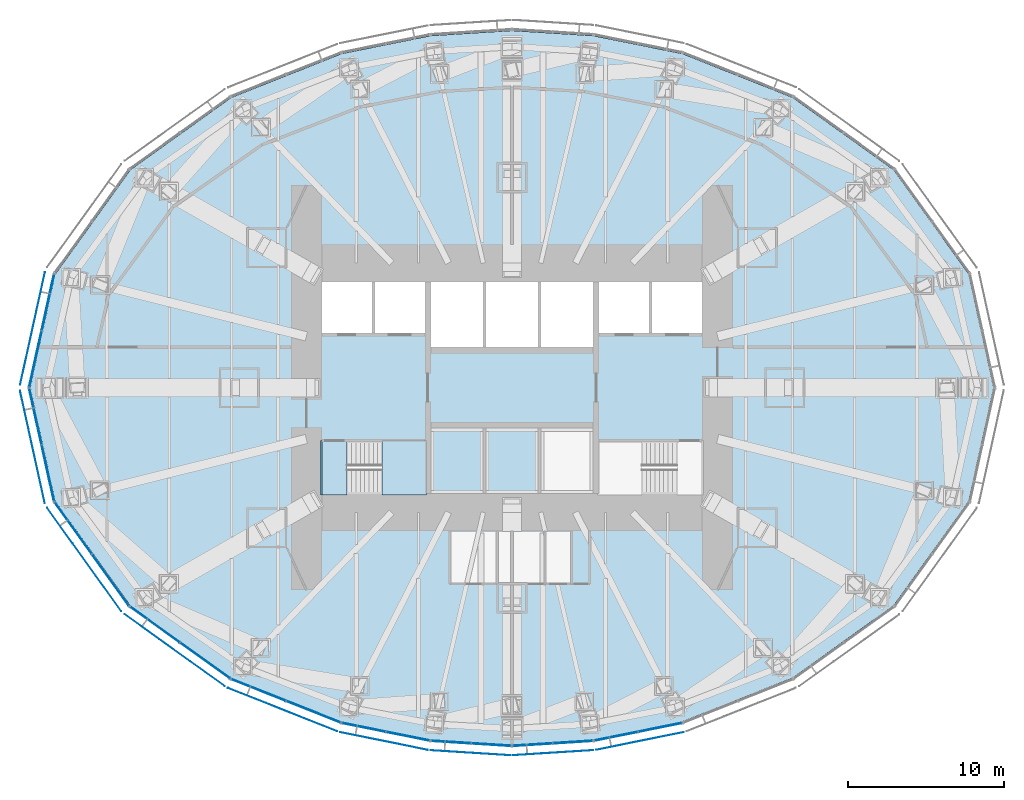
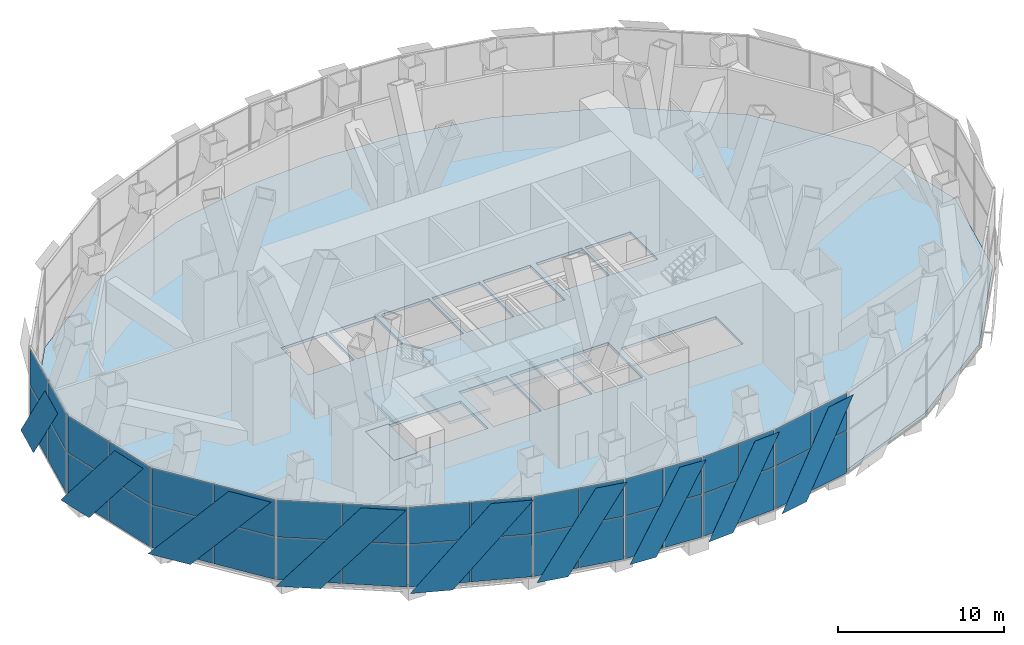
# One storey, part 12 of 21: 45 plates, 7 slabs, 10 elements without a shape of their own.
"""IFC4 building model written with IfcOpenShell, lengths in metres."""

from ifc_helpers import new_model, si_unit, direction, frame, origin, origin_2d, place, context, subcontext, project, spatial, polyline, rectangle, outline, extrude, material, layer, layer_set, type_object, element, aggregate, save


model = new_model("IFC4")

# Units and contexts
model_context = context("Model", 3, precision=1e-05, world=origin(), true_north=direction((0.0, 1.0)))
body_context = subcontext(model_context, "Body", "Model", "MODEL_VIEW")
ifc_project = project(units=[si_unit("LENGTHUNIT", "METRE"), si_unit("AREAUNIT", "SQUARE_METRE"), si_unit("VOLUMEUNIT", "CUBIC_METRE"), si_unit("PLANEANGLEUNIT", "RADIAN"), si_unit("MASSUNIT", "GRAM", prefix="KILO")], contexts=[model_context])

# Site, building, storey
site_placement = place(None, origin())
site = spatial("IfcSite", under=ifc_project, at=site_placement, CompositionType="ELEMENT")
building_placement = place(site_placement, origin())
building = spatial("IfcBuilding", under=site, at=building_placement, Name="Lantaw Convention Tower", CompositionType="ELEMENT")
storey_placement = place(building_placement, frame((0.0, 0.0, 105.39990234375)))
storey = spatial("IfcBuildingStorey", under=building, at=storey_placement, Name="L25", CompositionType="ELEMENT", Elevation=105.39990234375)

# Curtain wall, plates
ifc_material_1 = material(Name="Aluminium framed curtain wall", Category="aluminium")
curtain_wall_type = type_object("IfcCurtainWallType", Name="Plant floor louvre wall, pale aluminium", PredefinedType="USERDEFINED", material=ifc_material_1)
curtain_wall_1_placement = place(storey_placement, origin())
curtain_wall_1 = element("IfcCurtainWall", 1, at=curtain_wall_1_placement, inside=storey, type_object=curtain_wall_type, Name="Plant floor louvre wall, pale aluminium L25", ObjectType="LOUVRE WALL", PredefinedType="USERDEFINED")
ifc_material_2 = material(Name="Aluminium louvre blades", Category="aluminium")
ifc_layer_1 = layer(ifc_material_2, 0.050048828125)
ifc_layer_set_1 = layer_set([ifc_layer_1], Name="CW-LV panel 50")
plate_type_1 = type_object("IfcPlateType", Name="CW-LV panel 50", PredefinedType="CURTAIN_PANEL", material=ifc_layer_set_1)
plate_1_placement = place(storey_placement, frame((-29.792724609375, 5.477783203125, -0.1298828125), z_axis=(0.0, 0.0, 1.0), x_axis=(-0.215246056391, -0.976559847223, 0.0)))
plate_1 = element("IfcPlate", 2, at=plate_1_placement, type_object=plate_type_1, Name="CW-LV panel 1.1", PredefinedType="CURTAIN_PANEL", context=body_context, shape_type="SweptSolid", body=[
    extrude(rectangle(XDim=3.646240234375, YDim=0.050048828125, at=origin_2d()), origin(), (0.0, 0.0, 1.0), 3.094970703125),
])
plate_2_placement = place(storey_placement, frame((-29.792724609375, 5.477783203125, 3.03515625), z_axis=(0.0, 0.0, 1.0), x_axis=(-0.215246056391, -0.976559847223, 0.0)))
plate_2 = element("IfcPlate", 3, at=plate_2_placement, type_object=plate_type_1, Name="CW-LV panel 1.2", PredefinedType="CURTAIN_PANEL", context=body_context, shape_type="SweptSolid", body=[
    extrude(rectangle(XDim=3.646240234375, YDim=0.050048828125, at=origin_2d()), origin(), (0.0, 0.0, 1.0), 2.695068359375),
])
plate_3_placement = place(storey_placement, frame((-30.592529296875, 1.8486328125, -0.1298828125), z_axis=(0.0, 0.0, 1.0), x_axis=(-0.215246056391, -0.976559847223, 0.0)))
plate_3 = element("IfcPlate", 4, at=plate_3_placement, type_object=plate_type_1, Name="CW-LV panel 2.1", PredefinedType="CURTAIN_PANEL", context=body_context, shape_type="SweptSolid", body=[
    extrude(rectangle(XDim=3.646240234375, YDim=0.050048828125, at=origin_2d()), origin(), (0.0, 0.0, 1.0), 3.094970703125),
])
plate_4_placement = place(storey_placement, frame((-30.592529296875, 1.8486328125, 3.03515625), z_axis=(0.0, 0.0, 1.0), x_axis=(-0.215246056391, -0.976559847223, 0.0)))
plate_4 = element("IfcPlate", 5, at=plate_4_placement, type_object=plate_type_1, Name="CW-LV panel 2.2", PredefinedType="CURTAIN_PANEL", context=body_context, shape_type="SweptSolid", body=[
    extrude(rectangle(XDim=3.646240234375, YDim=0.050048828125, at=origin_2d()), origin(), (0.0, 0.0, 1.0), 2.695068359375),
])
aggregate(curtain_wall_1, [plate_1, plate_2, plate_3, plate_4])

curtain_wall_2_placement = place(storey_placement, origin())
curtain_wall_2 = element("IfcCurtainWall", 6, at=curtain_wall_2_placement, inside=storey, type_object=curtain_wall_type, Name="Plant floor louvre wall, pale aluminium L25", ObjectType="LOUVRE WALL", PredefinedType="USERDEFINED")
plate_5_placement = place(storey_placement, frame((-30.592529296875, -1.8486328125, -0.1298828125), z_axis=(0.0, 0.0, 1.0), x_axis=(0.215246056391, -0.976559847223, 0.0)))
plate_5 = element("IfcPlate", 7, at=plate_5_placement, type_object=plate_type_1, Name="CW-LV panel 1.1", PredefinedType="CURTAIN_PANEL", context=body_context, shape_type="SweptSolid", body=[
    extrude(rectangle(XDim=3.646240234375, YDim=0.050048828125, at=origin_2d()), origin(), (0.0, 0.0, 1.0), 3.094970703125),
])
plate_6_placement = place(storey_placement, frame((-30.592529296875, -1.8486328125, 3.03515625), z_axis=(0.0, 0.0, 1.0), x_axis=(0.215246056391, -0.976559847223, 0.0)))
plate_6 = element("IfcPlate", 8, at=plate_6_placement, type_object=plate_type_1, Name="CW-LV panel 1.2", PredefinedType="CURTAIN_PANEL", context=body_context, shape_type="SweptSolid", body=[
    extrude(rectangle(XDim=3.646240234375, YDim=0.050048828125, at=origin_2d()), origin(), (0.0, 0.0, 1.0), 2.695068359375),
])
plate_7_placement = place(storey_placement, frame((-29.792724609375, -5.477783203125, -0.1298828125), z_axis=(0.0, 0.0, 1.0), x_axis=(0.215246056391, -0.976559847223, 0.0)))
plate_7 = element("IfcPlate", 9, at=plate_7_placement, type_object=plate_type_1, Name="CW-LV panel 2.1", PredefinedType="CURTAIN_PANEL", context=body_context, shape_type="SweptSolid", body=[
    extrude(rectangle(XDim=3.646240234375, YDim=0.050048828125, at=origin_2d()), origin(), (0.0, 0.0, 1.0), 3.094970703125),
])
plate_8_placement = place(storey_placement, frame((-29.792724609375, -5.477783203125, 3.03515625), z_axis=(0.0, 0.0, 1.0), x_axis=(0.215246056391, -0.976559847223, 0.0)))
plate_8 = element("IfcPlate", 10, at=plate_8_placement, type_object=plate_type_1, Name="CW-LV panel 2.2", PredefinedType="CURTAIN_PANEL", context=body_context, shape_type="SweptSolid", body=[
    extrude(rectangle(XDim=3.646240234375, YDim=0.050048828125, at=origin_2d()), origin(), (0.0, 0.0, 1.0), 2.695068359375),
])
aggregate(curtain_wall_2, [plate_5, plate_6, plate_7, plate_8])

curtain_wall_3_placement = place(storey_placement, origin())
curtain_wall_3 = element("IfcCurtainWall", 11, at=curtain_wall_3_placement, inside=storey, type_object=curtain_wall_type, Name="Plant floor louvre wall, pale aluminium L25", ObjectType="LOUVRE WALL", PredefinedType="USERDEFINED")
plate_9_placement = place(storey_placement, frame((-28.168701171875, -9.017578125, -0.1298828125), z_axis=(0.0, 0.0, 1.0), x_axis=(0.583951250436, -0.811788726895, 0.0)))
plate_9 = element("IfcPlate", 12, at=plate_9_placement, type_object=plate_type_1, Name="CW-LV panel 1.1", PredefinedType="CURTAIN_PANEL", context=body_context, shape_type="SweptSolid", body=[
    extrude(rectangle(XDim=4.0263671875, YDim=0.050048828125, at=origin_2d()), origin(), (0.0, 0.0, 1.0), 3.094970703125),
])
plate_10_placement = place(storey_placement, frame((-28.168701171875, -9.017578125, 3.03515625), z_axis=(0.0, 0.0, 1.0), x_axis=(0.583951250436, -0.811788726895, 0.0)))
plate_10 = element("IfcPlate", 13, at=plate_10_placement, type_object=plate_type_1, Name="CW-LV panel 1.2", PredefinedType="CURTAIN_PANEL", context=body_context, shape_type="SweptSolid", body=[
    extrude(rectangle(XDim=4.0263671875, YDim=0.050048828125, at=origin_2d()), origin(), (0.0, 0.0, 1.0), 2.695068359375),
])
plate_11_placement = place(storey_placement, frame((-25.776611328125, -12.34326171875, -0.1298828125), z_axis=(0.0, 0.0, 1.0), x_axis=(0.583951250436, -0.811788726895, 0.0)))
plate_11 = element("IfcPlate", 14, at=plate_11_placement, type_object=plate_type_1, Name="CW-LV panel 2.1", PredefinedType="CURTAIN_PANEL", context=body_context, shape_type="SweptSolid", body=[
    extrude(rectangle(XDim=4.0263671875, YDim=0.050048828125, at=origin_2d()), origin(), (0.0, 0.0, 1.0), 3.094970703125),
])
plate_12_placement = place(storey_placement, frame((-25.776611328125, -12.34326171875, 3.03515625), z_axis=(0.0, 0.0, 1.0), x_axis=(0.583951250436, -0.811788726895, 0.0)))
plate_12 = element("IfcPlate", 15, at=plate_12_placement, type_object=plate_type_1, Name="CW-LV panel 2.2", PredefinedType="CURTAIN_PANEL", context=body_context, shape_type="SweptSolid", body=[
    extrude(rectangle(XDim=4.0263671875, YDim=0.050048828125, at=origin_2d()), origin(), (0.0, 0.0, 1.0), 2.695068359375),
])
aggregate(curtain_wall_3, [plate_9, plate_10, plate_11, plate_12])

curtain_wall_4_placement = place(storey_placement, origin())
curtain_wall_4 = element("IfcCurtainWall", 16, at=curtain_wall_4_placement, inside=storey, type_object=curtain_wall_type, Name="Plant floor louvre wall, pale aluminium L25", ObjectType="LOUVRE WALL", PredefinedType="USERDEFINED")
plate_13_placement = place(storey_placement, frame((-22.91943359375, -15.2099609375, -0.1298828125), z_axis=(0.0, 0.0, 1.0), x_axis=(0.812803733199, -0.5825376308, 0.0)))
plate_13 = element("IfcPlate", 17, at=plate_13_placement, type_object=plate_type_1, Name="CW-LV panel 1.1", PredefinedType="CURTAIN_PANEL", context=body_context, shape_type="SweptSolid", body=[
    extrude(rectangle(XDim=3.896484375, YDim=0.050048828125, at=origin_2d()), origin(), (0.0, 0.0, 1.0), 3.094970703125),
])
plate_14_placement = place(storey_placement, frame((-22.91943359375, -15.2099609375, 3.03515625), z_axis=(0.0, 0.0, 1.0), x_axis=(0.812803733199, -0.5825376308, 0.0)))
plate_14 = element("IfcPlate", 18, at=plate_14_placement, type_object=plate_type_1, Name="CW-LV panel 1.2", PredefinedType="CURTAIN_PANEL", context=body_context, shape_type="SweptSolid", body=[
    extrude(rectangle(XDim=3.896484375, YDim=0.050048828125, at=origin_2d()), origin(), (0.0, 0.0, 1.0), 2.695068359375),
])
plate_15_placement = place(storey_placement, frame((-19.695556640625, -17.520751953125, -0.1298828125), z_axis=(0.0, 0.0, 1.0), x_axis=(0.812803733199, -0.5825376308, 0.0)))
plate_15 = element("IfcPlate", 19, at=plate_15_placement, type_object=plate_type_1, Name="CW-LV panel 2.1", PredefinedType="CURTAIN_PANEL", context=body_context, shape_type="SweptSolid", body=[
    extrude(rectangle(XDim=3.896484375, YDim=0.050048828125, at=origin_2d()), origin(), (0.0, 0.0, 1.0), 3.094970703125),
])
plate_16_placement = place(storey_placement, frame((-19.695556640625, -17.520751953125, 3.03515625), z_axis=(0.0, 0.0, 1.0), x_axis=(0.812803733199, -0.5825376308, 0.0)))
plate_16 = element("IfcPlate", 20, at=plate_16_placement, type_object=plate_type_1, Name="CW-LV panel 2.2", PredefinedType="CURTAIN_PANEL", context=body_context, shape_type="SweptSolid", body=[
    extrude(rectangle(XDim=3.896484375, YDim=0.050048828125, at=origin_2d()), origin(), (0.0, 0.0, 1.0), 2.695068359375),
])
aggregate(curtain_wall_4, [plate_13, plate_14, plate_15, plate_16])

curtain_wall_5_placement = place(storey_placement, origin())
curtain_wall_5 = element("IfcCurtainWall", 21, at=curtain_wall_5_placement, inside=storey, type_object=curtain_wall_type, Name="Plant floor louvre wall, pale aluminium L25", ObjectType="LOUVRE WALL", PredefinedType="USERDEFINED")
plate_17_placement = place(storey_placement, frame((-16.265380859375, -19.4072265625, -0.1298828125), z_axis=(0.0, 0.0, 1.0), x_axis=(0.929361152748, -0.369171840425, 0.0)))
plate_17 = element("IfcPlate", 22, at=plate_17_placement, type_object=plate_type_1, Name="CW-LV panel 1.1", PredefinedType="CURTAIN_PANEL", context=body_context, shape_type="SweptSolid", body=[
    extrude(rectangle(XDim=3.711181640625, YDim=0.050048828125, at=origin_2d()), origin(), (0.0, 0.0, 1.0), 3.094970703125),
])
plate_18_placement = place(storey_placement, frame((-16.265380859375, -19.4072265625, 3.03515625), z_axis=(0.0, 0.0, 1.0), x_axis=(0.929361152748, -0.369171840425, 0.0)))
plate_18 = element("IfcPlate", 23, at=plate_18_placement, type_object=plate_type_1, Name="CW-LV panel 1.2", PredefinedType="CURTAIN_PANEL", context=body_context, shape_type="SweptSolid", body=[
    extrude(rectangle(XDim=3.711181640625, YDim=0.050048828125, at=origin_2d()), origin(), (0.0, 0.0, 1.0), 2.695068359375),
])
plate_19_placement = place(storey_placement, frame((-12.75146484375, -20.80322265625, -0.1298828125), z_axis=(0.0, 0.0, 1.0), x_axis=(0.929361152748, -0.369171840425, 0.0)))
plate_19 = element("IfcPlate", 24, at=plate_19_placement, type_object=plate_type_1, Name="CW-LV panel 2.1", PredefinedType="CURTAIN_PANEL", context=body_context, shape_type="SweptSolid", body=[
    extrude(rectangle(XDim=3.711181640625, YDim=0.050048828125, at=origin_2d()), origin(), (0.0, 0.0, 1.0), 3.094970703125),
])
plate_20_placement = place(storey_placement, frame((-12.75146484375, -20.80322265625, 3.03515625), z_axis=(0.0, 0.0, 1.0), x_axis=(0.929361152748, -0.369171840425, 0.0)))
plate_20 = element("IfcPlate", 25, at=plate_20_placement, type_object=plate_type_1, Name="CW-LV panel 2.2", PredefinedType="CURTAIN_PANEL", context=body_context, shape_type="SweptSolid", body=[
    extrude(rectangle(XDim=3.711181640625, YDim=0.050048828125, at=origin_2d()), origin(), (0.0, 0.0, 1.0), 2.695068359375),
])
aggregate(curtain_wall_5, [plate_17, plate_18, plate_19, plate_20])

curtain_wall_6_placement = place(storey_placement, origin())
curtain_wall_6 = element("IfcCurtainWall", 26, at=curtain_wall_6_placement, inside=storey, type_object=curtain_wall_type, Name="Plant floor louvre wall, pale aluminium L25", ObjectType="LOUVRE WALL", PredefinedType="USERDEFINED")
plate_21_placement = place(storey_placement, frame((-9.5126953125, -21.806396484375, -0.1298828125), z_axis=(0.0, 0.0, 1.0), x_axis=(0.980244604501, -0.197789067813, 0.0)))
plate_21 = element("IfcPlate", 27, at=plate_21_placement, type_object=plate_type_1, Name="CW-LV panel 1.1", PredefinedType="CURTAIN_PANEL", context=body_context, shape_type="SweptSolid", body=[
    extrude(rectangle(XDim=2.81689453125, YDim=0.050048828125, at=origin_2d()), origin(), (0.0, 0.0, 1.0), 3.094970703125),
])
plate_22_placement = place(storey_placement, frame((-9.5126953125, -21.806396484375, 3.03515625), z_axis=(0.0, 0.0, 1.0), x_axis=(0.980244604501, -0.197789067813, 0.0)))
plate_22 = element("IfcPlate", 28, at=plate_22_placement, type_object=plate_type_1, Name="CW-LV panel 1.2", PredefinedType="CURTAIN_PANEL", context=body_context, shape_type="SweptSolid", body=[
    extrude(rectangle(XDim=2.81689453125, YDim=0.050048828125, at=origin_2d()), origin(), (0.0, 0.0, 1.0), 2.695068359375),
])
plate_23_placement = place(storey_placement, frame((-6.682861328125, -22.37744140625, -0.1298828125), z_axis=(0.0, 0.0, 1.0), x_axis=(0.980244604501, -0.197789067813, 0.0)))
plate_23 = element("IfcPlate", 29, at=plate_23_placement, type_object=plate_type_1, Name="CW-LV panel 2.1", PredefinedType="CURTAIN_PANEL", context=body_context, shape_type="SweptSolid", body=[
    extrude(rectangle(XDim=2.81689453125, YDim=0.050048828125, at=origin_2d()), origin(), (0.0, 0.0, 1.0), 3.094970703125),
])
plate_24_placement = place(storey_placement, frame((-6.682861328125, -22.37744140625, 3.03515625), z_axis=(0.0, 0.0, 1.0), x_axis=(0.980244604501, -0.197789067813, 0.0)))
plate_24 = element("IfcPlate", 30, at=plate_24_placement, type_object=plate_type_1, Name="CW-LV panel 2.2", PredefinedType="CURTAIN_PANEL", context=body_context, shape_type="SweptSolid", body=[
    extrude(rectangle(XDim=2.81689453125, YDim=0.050048828125, at=origin_2d()), origin(), (0.0, 0.0, 1.0), 2.695068359375),
])
aggregate(curtain_wall_6, [plate_21, plate_22, plate_23, plate_24])

curtain_wall_7_placement = place(storey_placement, origin())
curtain_wall_7 = element("IfcCurtainWall", 31, at=curtain_wall_7_placement, inside=storey, type_object=curtain_wall_type, Name="Plant floor louvre wall, pale aluminium L25", ObjectType="LOUVRE WALL", PredefinedType="USERDEFINED")
plate_25_placement = place(storey_placement, frame((-3.907958984375, -22.75341796875, -0.1298828125), z_axis=(0.0, 0.0, 1.0), x_axis=(0.998016153807, -0.062958373078, 0.0)))
plate_25 = element("IfcPlate", 32, at=plate_25_placement, type_object=plate_type_1, Name="CW-LV panel 1.1", PredefinedType="CURTAIN_PANEL", context=body_context, shape_type="SweptSolid", body=[
    extrude(rectangle(XDim=2.51708984375, YDim=0.050048828125, at=origin_2d()), origin(), (0.0, 0.0, 1.0), 3.094970703125),
])
plate_26_placement = place(storey_placement, frame((-3.907958984375, -22.75341796875, 3.03515625), z_axis=(0.0, 0.0, 1.0), x_axis=(0.998016153807, -0.062958373078, 0.0)))
plate_26 = element("IfcPlate", 33, at=plate_26_placement, type_object=plate_type_1, Name="CW-LV panel 1.2", PredefinedType="CURTAIN_PANEL", context=body_context, shape_type="SweptSolid", body=[
    extrude(rectangle(XDim=2.51708984375, YDim=0.050048828125, at=origin_2d()), origin(), (0.0, 0.0, 1.0), 2.695068359375),
])
plate_27_placement = place(storey_placement, frame((-1.325927734375, -22.916259765625, -0.1298828125), z_axis=(0.0, 0.0, 1.0), x_axis=(0.998016153807, -0.062958373078, 0.0)))
plate_27 = element("IfcPlate", 34, at=plate_27_placement, type_object=plate_type_1, Name="CW-LV panel 2.1", PredefinedType="CURTAIN_PANEL", context=body_context, shape_type="SweptSolid", body=[
    extrude(rectangle(XDim=2.51708984375, YDim=0.050048828125, at=origin_2d()), origin(), (0.0, 0.0, 1.0), 3.094970703125),
])
plate_28_placement = place(storey_placement, frame((-1.325927734375, -22.916259765625, 3.03515625), z_axis=(0.0, 0.0, 1.0), x_axis=(0.998016153807, -0.062958373078, 0.0)))
plate_28 = element("IfcPlate", 35, at=plate_28_placement, type_object=plate_type_1, Name="CW-LV panel 2.2", PredefinedType="CURTAIN_PANEL", context=body_context, shape_type="SweptSolid", body=[
    extrude(rectangle(XDim=2.51708984375, YDim=0.050048828125, at=origin_2d()), origin(), (0.0, 0.0, 1.0), 2.695068359375),
])
aggregate(curtain_wall_7, [plate_25, plate_26, plate_27, plate_28])

curtain_wall_8_placement = place(storey_placement, origin())
curtain_wall_8 = element("IfcCurtainWall", 36, at=curtain_wall_8_placement, inside=storey, type_object=curtain_wall_type, Name="Plant floor louvre wall, pale aluminium L25", ObjectType="LOUVRE WALL", PredefinedType="USERDEFINED")
plate_29_placement = place(storey_placement, frame((1.325927734375, -22.916259765625, -0.1298828125), z_axis=(0.0, 0.0, 1.0), x_axis=(0.998016153807, 0.062958373078, 0.0)))
plate_29 = element("IfcPlate", 37, at=plate_29_placement, type_object=plate_type_1, Name="CW-LV panel 1.1", PredefinedType="CURTAIN_PANEL", context=body_context, shape_type="SweptSolid", body=[
    extrude(rectangle(XDim=2.51708984375, YDim=0.050048828125, at=origin_2d()), origin(), (0.0, 0.0, 1.0), 3.094970703125),
])
plate_30_placement = place(storey_placement, frame((1.325927734375, -22.916259765625, 3.03515625), z_axis=(0.0, 0.0, 1.0), x_axis=(0.998016153807, 0.062958373078, 0.0)))
plate_30 = element("IfcPlate", 38, at=plate_30_placement, type_object=plate_type_1, Name="CW-LV panel 1.2", PredefinedType="CURTAIN_PANEL", context=body_context, shape_type="SweptSolid", body=[
    extrude(rectangle(XDim=2.51708984375, YDim=0.050048828125, at=origin_2d()), origin(), (0.0, 0.0, 1.0), 2.695068359375),
])
plate_31_placement = place(storey_placement, frame((3.907958984375, -22.75341796875, -0.1298828125), z_axis=(0.0, 0.0, 1.0), x_axis=(0.998016153807, 0.062958373078, 0.0)))
plate_31 = element("IfcPlate", 39, at=plate_31_placement, type_object=plate_type_1, Name="CW-LV panel 2.1", PredefinedType="CURTAIN_PANEL", context=body_context, shape_type="SweptSolid", body=[
    extrude(rectangle(XDim=2.51708984375, YDim=0.050048828125, at=origin_2d()), origin(), (0.0, 0.0, 1.0), 3.094970703125),
])
plate_32_placement = place(storey_placement, frame((3.907958984375, -22.75341796875, 3.03515625), z_axis=(0.0, 0.0, 1.0), x_axis=(0.998016153807, 0.062958373078, 0.0)))
plate_32 = element("IfcPlate", 40, at=plate_32_placement, type_object=plate_type_1, Name="CW-LV panel 2.2", PredefinedType="CURTAIN_PANEL", context=body_context, shape_type="SweptSolid", body=[
    extrude(rectangle(XDim=2.51708984375, YDim=0.050048828125, at=origin_2d()), origin(), (0.0, 0.0, 1.0), 2.695068359375),
])
aggregate(curtain_wall_8, [plate_29, plate_30, plate_31, plate_32])

curtain_wall_9_placement = place(storey_placement, origin())
curtain_wall_9 = element("IfcCurtainWall", 41, at=curtain_wall_9_placement, inside=storey, type_object=curtain_wall_type, Name="Plant floor louvre wall, pale aluminium L25", ObjectType="LOUVRE WALL", PredefinedType="USERDEFINED")
plate_33_placement = place(storey_placement, frame((6.682861328125, -22.37744140625, -0.1298828125), z_axis=(0.0, 0.0, 1.0), x_axis=(0.980244604501, 0.197789067813, 0.0)))
plate_33 = element("IfcPlate", 42, at=plate_33_placement, type_object=plate_type_1, Name="CW-LV panel 1.1", PredefinedType="CURTAIN_PANEL", context=body_context, shape_type="SweptSolid", body=[
    extrude(rectangle(XDim=2.81689453125, YDim=0.050048828125, at=origin_2d()), origin(), (0.0, 0.0, 1.0), 3.094970703125),
])
plate_34_placement = place(storey_placement, frame((6.682861328125, -22.37744140625, 3.03515625), z_axis=(0.0, 0.0, 1.0), x_axis=(0.980244604501, 0.197789067813, 0.0)))
plate_34 = element("IfcPlate", 43, at=plate_34_placement, type_object=plate_type_1, Name="CW-LV panel 1.2", PredefinedType="CURTAIN_PANEL", context=body_context, shape_type="SweptSolid", body=[
    extrude(rectangle(XDim=2.81689453125, YDim=0.050048828125, at=origin_2d()), origin(), (0.0, 0.0, 1.0), 2.695068359375),
])
plate_35_placement = place(storey_placement, frame((9.5126953125, -21.806396484375, -0.1298828125), z_axis=(0.0, 0.0, 1.0), x_axis=(0.980244604501, 0.197789067813, 0.0)))
plate_35 = element("IfcPlate", 44, at=plate_35_placement, type_object=plate_type_1, Name="CW-LV panel 2.1", PredefinedType="CURTAIN_PANEL", context=body_context, shape_type="SweptSolid", body=[
    extrude(rectangle(XDim=2.81689453125, YDim=0.050048828125, at=origin_2d()), origin(), (0.0, 0.0, 1.0), 3.094970703125),
])
plate_36_placement = place(storey_placement, frame((9.5126953125, -21.806396484375, 3.03515625), z_axis=(0.0, 0.0, 1.0), x_axis=(0.980244604501, 0.197789067813, 0.0)))
plate_36 = element("IfcPlate", 45, at=plate_36_placement, type_object=plate_type_1, Name="CW-LV panel 2.2", PredefinedType="CURTAIN_PANEL", context=body_context, shape_type="SweptSolid", body=[
    extrude(rectangle(XDim=2.81689453125, YDim=0.050048828125, at=origin_2d()), origin(), (0.0, 0.0, 1.0), 2.695068359375),
])
aggregate(curtain_wall_9, [plate_33, plate_34, plate_35, plate_36])

# Slabs
ifc_material_3 = material(Name="Concrete C35/45", Category="concrete")
ifc_layer_2 = layer(ifc_material_3, 0.199951171875)
ifc_layer_set_2 = layer_set([ifc_layer_2], Name="Floor slab 200")
slab_type_1 = type_object("IfcSlabType", Name="Floor slab 200", PredefinedType="FLOOR", material=ifc_layer_set_2)
slab_1_placement = place(storey_placement, frame((0.0, 0.0, -0.199951171875)))
element("IfcSlab", 46, at=slab_1_placement, inside=storey, type_object=slab_type_1, Name="L25 floor slab", PredefinedType="FLOOR", context=body_context, shape_type="SweptSolid", body=[
    extrude(outline(polyline([(29.315185546875, -7.29541015625), (30.923095703125, 0.0), (29.315185546875, 7.29541015625), (24.50634765625, 13.98046875), (18.018798828125, 18.630126953125), (10.9404296875, 21.44189453125), (5.223876953125, 22.59521484375), (0.0, 22.9248046875), (-5.223876953125, 22.59521484375), (-10.9404296875, 21.44189453125), (-18.018798828125, 18.630126953125), (-24.50634765625, 13.98046875), (-29.315185546875, 7.29541015625), (-30.923095703125, 0.0), (-29.315185546875, -7.29541015625), (-24.50634765625, -13.98046875), (-18.018798828125, -18.630126953125), (-10.9404296875, -21.44189453125), (-5.223876953125, -22.59521484375), (0.0, -22.9248046875), (5.223876953125, -22.59521484375), (10.9404296875, -21.44189453125), (18.018798828125, -18.630126953125), (24.50634765625, -13.98046875), (29.315185546875, -7.29541015625)]), holes=[polyline([(-5.60009765625, -3.5), (-12.199951171875, -3.5), (-12.199951171875, -6.800048828125), (-5.60009765625, -6.800048828125), (-5.60009765625, -3.5)]), polyline([(-1.86669921875, -6.800048828125), (-1.86669921875, -2.60009765625), (-5.199951171875, -2.60009765625), (-5.199951171875, -6.800048828125), (-1.86669921875, -6.800048828125)]), polyline([(-1.86669921875, 2.60009765625), (-1.86669921875, 6.800048828125), (-5.199951171875, 6.800048828125), (-5.199951171875, 2.60009765625), (-1.86669921875, 2.60009765625)]), polyline([(1.666748046875, 6.800048828125), (-1.666748046875, 6.800048828125), (-1.666748046875, 2.60009765625), (1.666748046875, 2.60009765625), (1.666748046875, 6.800048828125)]), polyline([(-9.0, 3.5), (-9.0, 6.800048828125), (-12.199951171875, 6.800048828125), (-12.199951171875, 3.5), (-9.0, 3.5)]), polyline([(-5.60009765625, 3.5), (-5.60009765625, 6.800048828125), (-8.800048828125, 6.800048828125), (-8.800048828125, 3.5), (-5.60009765625, 3.5)]), polyline([(12.199951171875, -3.5), (5.60009765625, -3.5), (5.60009765625, -6.800048828125), (12.199951171875, -6.800048828125), (12.199951171875, -3.5)]), polyline([(1.666748046875, -6.800048828125), (1.666748046875, -2.60009765625), (-1.666748046875, -2.60009765625), (-1.666748046875, -6.800048828125), (1.666748046875, -6.800048828125)]), polyline([(5.199951171875, -6.800048828125), (5.199951171875, -2.60009765625), (1.86669921875, -2.60009765625), (1.86669921875, -6.800048828125), (5.199951171875, -6.800048828125)]), polyline([(5.199951171875, 6.800048828125), (1.86669921875, 6.800048828125), (1.86669921875, 2.60009765625), (5.199951171875, 2.60009765625), (5.199951171875, 6.800048828125)]), polyline([(8.800048828125, 3.5), (8.800048828125, 6.800048828125), (5.60009765625, 6.800048828125), (5.60009765625, 3.5), (8.800048828125, 3.5)]), polyline([(12.199951171875, 3.5), (12.199951171875, 6.800048828125), (9.0, 6.800048828125), (9.0, 3.5), (12.199951171875, 3.5)])]), origin(), (0.0, 0.0, 1.0), 0.199951171875),
])
ifc_material_4 = material(Name="Concrete C40/50", Category="concrete")
ifc_layer_3 = layer(ifc_material_4, 0.300048828125)
ifc_layer_set_3 = layer_set([ifc_layer_3], Name="Lift pit slab 300")
slab_type_2 = type_object("IfcSlabType", Name="Lift pit slab 300", PredefinedType="BASESLAB", material=ifc_layer_set_3)
slab_2_placement = place(storey_placement, frame((0.0, 0.0, 2.25)))
element("IfcSlab", 47, at=slab_2_placement, inside=storey, type_object=slab_type_2, Name="Lift pit S1", PredefinedType="BASESLAB", context=body_context, shape_type="SweptSolid", body=[
    extrude(outline(polyline([(-5.199951171875, -6.800048828125), (-1.86669921875, -6.800048828125), (-1.86669921875, -2.60009765625), (-5.199951171875, -2.60009765625), (-5.199951171875, -6.800048828125)])), origin(), (0.0, 0.0, 1.0), 0.300048828125),
])
slab_3_placement = place(storey_placement, frame((0.0, 0.0, 2.25)))
element("IfcSlab", 48, at=slab_3_placement, inside=storey, type_object=slab_type_2, Name="Lift pit S2", PredefinedType="BASESLAB", context=body_context, shape_type="SweptSolid", body=[
    extrude(outline(polyline([(-1.666748046875, -6.800048828125), (1.666748046875, -6.800048828125), (1.666748046875, -2.60009765625), (-1.666748046875, -2.60009765625), (-1.666748046875, -6.800048828125)])), origin(), (0.0, 0.0, 1.0), 0.300048828125),
])

# Plates
ifc_material_5 = material(Name="Perforated aluminium sheet, pale silver finish", Category="aluminium")
ifc_layer_4 = layer(ifc_material_5, 0.006103515625)
ifc_layer_set_4 = layer_set([ifc_layer_4], Name="Perforated aluminium solar SCREEN panel")
plate_type_2 = type_object("IfcPlateType", Name="Perforated aluminium solar SCREEN panel", PredefinedType="SHEET", material=ifc_layer_set_4)
plate_37_placement = place(storey_placement, frame((-29.98779296875, 7.408203125, -0.199951171875), z_axis=(-0.976559435862, 0.215247921914, 1.8452861e-05), x_axis=(-0.215247921951, -0.976559436028, -1.9e-10)))
element("IfcPlate", 49, at=plate_37_placement, inside=storey, type_object=plate_type_2, Name="Solar SCREEN panel", PredefinedType="SHEET", context=body_context, shape_type="SweptSolid", body=[
    extrude(outline(polyline([(0.0, 0.0), (2.550763794498007, 1.6940658945086007e-21), (7.40249825065126, 6.140136721202469), (4.851496038322192, 6.140136720232712), (0.0, 0.0)])), origin(), (0.0, 0.0, -1.0), 0.006103515625),
])
plate_38_placement = place(storey_placement, frame((-31.5810546875, -0.17919921875, -0.199951171875), z_axis=(0.976559435862, 0.215247921914, 1.8452861e-05), x_axis=(0.215247921951, -0.976559436028, 1.9e-10)))
element("IfcPlate", 50, at=plate_38_placement, inside=storey, type_object=plate_type_2, Name="Solar SCREEN panel", PredefinedType="SHEET", context=body_context, shape_type="SweptSolid", body=[
    extrude(outline(polyline([(0.0, 0.0), (2.551002212329069, 3.3881317890172014e-21), (7.402498252985418, -6.140136718388428), (4.851734458487411, -6.140136719358094), (0.0, 0.0)])), origin(), (0.0, 0.0, -1.0), 0.006103515625),
])
plate_39_placement = place(storey_placement, frame((-29.847900390625, -7.720947265625, -0.199951171875), z_axis=(-0.811791382633, -0.583947558478, 5.493684e-06), x_axis=(0.583947558486, -0.811791382646, 0.0)))
element("IfcPlate", 51, at=plate_39_placement, inside=storey, type_object=plate_type_2, Name="Solar SCREEN panel", PredefinedType="SHEET", context=body_context, shape_type="SweptSolid", body=[
    extrude(outline(polyline([(0.0, 0.0), (2.809541672291133, -8.470329472543003e-22), (8.163093158837512, 6.140136718842657), (5.353551486546379, 6.140136718842657), (0.0, 0.0)])), origin(), (0.0, 0.0, -1.0), 0.006103515625),
])
plate_40_placement = place(storey_placement, frame((-24.872314453125, -14.555908203125, -0.199951171875), z_axis=(-0.582561422044, -0.812786681395, 9.635692e-06), x_axis=(0.812786681433, -0.582561422071, 0.0)))
element("IfcPlate", 52, at=plate_40_placement, inside=storey, type_object=plate_type_2, Name="Solar SCREEN panel", PredefinedType="SHEET", context=body_context, shape_type="SweptSolid", body=[
    extrude(outline(polyline([(0.0, 0.0), (2.721095180812288, 1.6940658945086007e-21), (7.903118572410756, 6.140136719035047), (5.182023391598468, 6.140136719035047), (0.0, 0.0)])), origin(), (0.0, 0.0, -1.0), 0.006103515625),
])
plate_41_placement = place(storey_placement, frame((-18.232177734375, -19.278076171875, -0.199951171875), z_axis=(0.369183532856, 0.92935650804, 5.581413e-06), x_axis=(0.929356508055, -0.369183532862, 0.0)))
element("IfcPlate", 53, at=plate_41_placement, inside=storey, type_object=plate_type_2, Name="Solar SCREEN panel", PredefinedType="SHEET", context=body_context, shape_type="SweptSolid", body=[
    extrude(outline(polyline([(0.0, 0.0), (2.594936467166582, -8.470329472543003e-22), (7.5321069917580825, -6.14013671884564), (4.937170524591499, -6.14013671884564), (0.0, 0.0)])), origin(), (0.0, 0.0, -1.0), 0.006103515625),
])
plate_42_placement = place(storey_placement, frame((-11.03271484375, -22.117919921875, -0.199951171875), z_axis=(0.197781876198, 0.980246055562, 1.473143e-06), x_axis=(0.980246055563, -0.197781876198, 8.9e-11)))
element("IfcPlate", 54, at=plate_42_placement, inside=storey, type_object=plate_type_2, Name="Solar SCREEN panel", PredefinedType="SHEET", context=body_context, shape_type="SweptSolid", body=[
    extrude(outline(polyline([(0.0, 0.0), (1.986780177223633, 0.0), (5.743587245978566, -6.14013671824707), (3.756855355345801, -6.140136718599615), (0.0, 0.0)])), origin(), (0.0, 0.0, -1.0), 0.006103515625),
])
plate_43_placement = place(storey_placement, frame((-5.221923828125, -23.27783203125, -0.199951171875), z_axis=(0.062923905255, 0.998018327526, 8.287181e-06), x_axis=(0.998018327561, -0.062923905257, 5.66e-10)))
element("IfcPlate", 55, at=plate_43_placement, inside=storey, type_object=plate_type_2, Name="Solar SCREEN panel", PredefinedType="SHEET", context=body_context, shape_type="SweptSolid", body=[
    extrude(outline(polyline([(0.0, 0.0), (1.782837540937782, 0.0), (5.143985963027619, -6.1401367160478255), (3.3611637843713935, -6.140136718067045), (0.0, 0.0)])), origin(), (0.0, 0.0, -1.0), 0.006103515625),
])
plate_44_placement = place(storey_placement, frame((0.088134765625, -23.6015625, -0.199951171875), z_axis=(0.062923905255, -0.998018327526, 8.287181e-06), x_axis=(0.998018327561, 0.062923905257, -5.66e-10)))
element("IfcPlate", 56, at=plate_44_placement, inside=storey, type_object=plate_type_2, Name="Solar SCREEN panel", PredefinedType="SHEET", context=body_context, shape_type="SweptSolid", body=[
    extrude(outline(polyline([(0.0, 0.0), (1.7828221786562248, -1.0587911840678754e-22), (5.143985956073316, 6.14013672187389), (3.361148415135535, 6.140136719854652), (0.0, 0.0)])), origin(), (0.0, 0.0, -1.0), 0.006103515625),
])
plate_45_placement = place(storey_placement, frame((5.402587890625, -23.25390625, -0.199951171875), z_axis=(0.197781876198, -0.980246055562, 1.473143e-06), x_axis=(0.980246055563, 0.197781876198, -8.9e-11)))
element("IfcPlate", 57, at=plate_45_placement, inside=storey, type_object=plate_type_2, Name="Solar SCREEN panel", PredefinedType="SHEET", context=body_context, shape_type="SweptSolid", body=[
    extrude(outline(polyline([(0.0, 0.0), (1.9867318906327642, -1.0587911840678754e-22), (5.743587244888999, 6.140136719266267), (3.7568070676653664, 6.1401367189137135), (0.0, 0.0)])), origin(), (0.0, 0.0, -1.0), 0.006103515625),
])

# Stair, slabs
stair_type = type_object("IfcStairType", Name="Exit stair 1500 riser 166.67 in 4 flights", PredefinedType="HALF_TURN_STAIR", material=ifc_material_3)
stair_placement = place(storey_placement, origin())
stair = element("IfcStair", 58, at=stair_placement, inside=storey, type_object=stair_type, Name="Exit stair S1 L25", PredefinedType="HALF_TURN_STAIR")
ifc_layer_5 = layer(ifc_material_3, 0.199951171875)
ifc_layer_set_5 = layer_set([ifc_layer_5], Name="Stair landing 200")
slab_type_3 = type_object("IfcSlabType", Name="Stair landing 200", PredefinedType="LANDING", material=ifc_layer_set_5)
slab_4_placement = place(storey_placement, frame((0.0, 0.0, -0.199951171875)))
slab_4 = element("IfcSlab", 59, at=slab_4_placement, type_object=slab_type_3, Name="S1 landing 1", PredefinedType="LANDING", context=body_context, shape_type="SweptSolid", body=[
    extrude(outline(polyline([(-12.199951171875, -6.89990234375), (-10.580078125, -6.89990234375), (-10.580078125, -3.39990234375), (-12.199951171875, -3.39990234375), (-12.199951171875, -6.89990234375)])), origin(), (0.0, 0.0, 1.0), 0.199951171875),
])
slab_5_placement = place(storey_placement, frame((0.0, 0.0, 1.300048828125)))
slab_5 = element("IfcSlab", 60, at=slab_5_placement, type_object=slab_type_3, Name="S1 landing 2", PredefinedType="LANDING", context=body_context, shape_type="SweptSolid", body=[
    extrude(outline(polyline([(-8.340087890625, -6.89990234375), (-5.5, -6.89990234375), (-5.5, -3.39990234375), (-8.340087890625, -3.39990234375), (-8.340087890625, -6.89990234375)])), origin(), (0.0, 0.0, 1.0), 0.199951171875),
])
slab_6_placement = place(storey_placement, frame((0.0, 0.0, 2.800048828125)))
slab_6 = element("IfcSlab", 61, at=slab_6_placement, type_object=slab_type_3, Name="S1 landing 3", PredefinedType="LANDING", context=body_context, shape_type="SweptSolid", body=[
    extrude(outline(polyline([(-12.300048828125, -6.89990234375), (-10.580078125, -6.89990234375), (-10.580078125, -3.39990234375), (-12.300048828125, -3.39990234375), (-12.300048828125, -6.89990234375)])), origin(), (0.0, 0.0, 1.0), 0.199951171875),
])
slab_7_placement = place(storey_placement, frame((0.0, 0.0, 4.300048828125)))
slab_7 = element("IfcSlab", 62, at=slab_7_placement, type_object=slab_type_3, Name="S1 landing 4", PredefinedType="LANDING", context=body_context, shape_type="SweptSolid", body=[
    extrude(outline(polyline([(-8.340087890625, -6.89990234375), (-5.5, -6.89990234375), (-5.5, -3.39990234375), (-8.340087890625, -3.39990234375), (-8.340087890625, -6.89990234375)])), origin(), (0.0, 0.0, 1.0), 0.199951171875),
])
aggregate(stair, [slab_4, slab_5, slab_6, slab_7])

save(model, "model.ifc")
